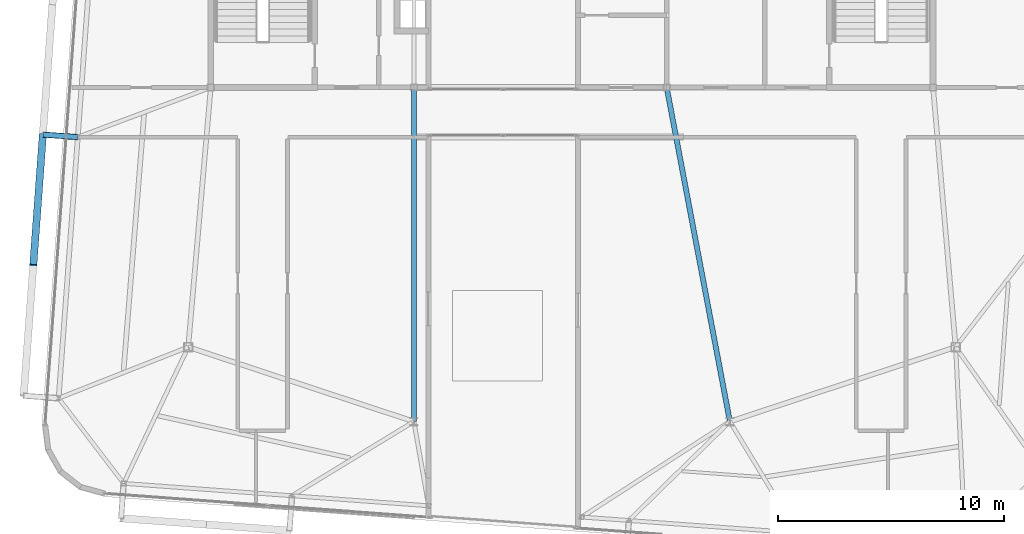
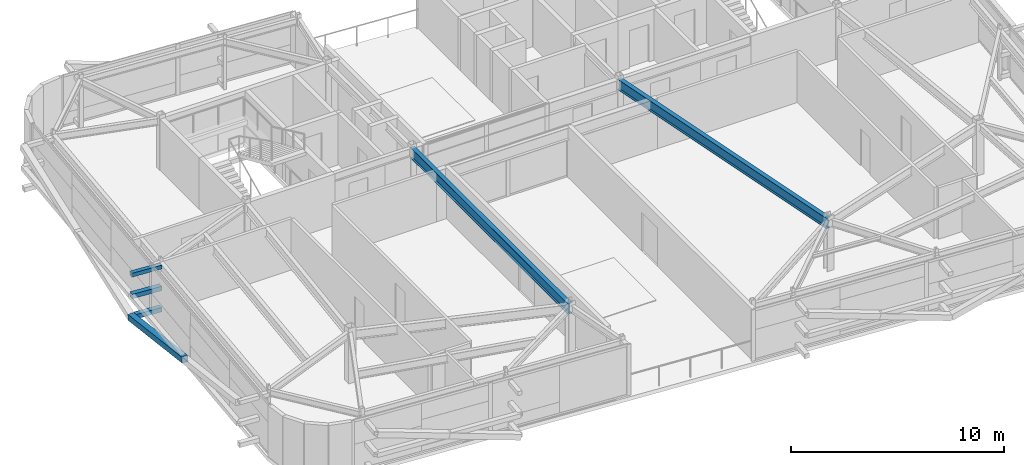
# One storey, part 12 of 36: 4 members, 2 beams.
"""IFC4 building model written with IfcOpenShell, lengths in metres."""

from ifc_helpers import new_model, si_unit, direction, frame, origin, origin_2d, place, context, subcontext, project, spatial, hollow_rectangle, i_section, extrude, source, transform, mapped, material, material_profile, profile_set, type_object, element, save


model = new_model("IFC4")

# Units and contexts
model_context = context("Model", 3, precision=1e-05, world=origin(), true_north=direction((0.0, 1.0)))
body_context = subcontext(model_context, "Body", "Model", "MODEL_VIEW")
ifc_project = project(units=[si_unit("LENGTHUNIT", "METRE"), si_unit("AREAUNIT", "SQUARE_METRE"), si_unit("VOLUMEUNIT", "CUBIC_METRE"), si_unit("PLANEANGLEUNIT", "RADIAN"), si_unit("MASSUNIT", "GRAM", prefix="KILO")], contexts=[model_context])

# Site, building, storey
site_placement = place(None, origin())
site = spatial("IfcSite", under=ifc_project, at=site_placement, CompositionType="ELEMENT")
building_placement = place(site_placement, origin())
building = spatial("IfcBuilding", under=site, at=building_placement, Name="Taldren Reach Tower", CompositionType="ELEMENT")
storey_placement = place(building_placement, frame((0.0, 0.0, 227.14990234375)))
storey = spatial("IfcBuildingStorey", under=building, at=storey_placement, Name="L69", CompositionType="ELEMENT", Elevation=227.14990234375)

# Beams
ifc_material_1 = material(Name="Steel Gr 350 (350PLUS)", Category="steel")
ifc_material_profile_1 = material_profile(ifc_material_1, i_section(OverallWidth=0.22802734375, OverallDepth=0.60205078125, WebThickness=0.010498046875, FlangeThickness=0.014892578125, at=origin_2d()), Name="610UB101")
ifc_profile_set_1 = profile_set([ifc_material_profile_1], Name="Steel Gr 350 (350PLUS)")
beam_type = type_object("IfcBeamType", Name="BM-UB610B", PredefinedType="BEAM", material=ifc_profile_set_1)
shared_shape_1 = source(origin(), body_context, "Body", "SweptSolid", [
    extrude(i_section(OverallWidth=0.22802734375, OverallDepth=0.60205078125, WebThickness=0.010498046875, FlangeThickness=0.014892578125, at=origin_2d()), origin(), (0.0, 0.0, 1.0), 14.800048828125),
])
beam_1_placement = place(storey_placement, frame((28.0, 24.0, 2.629150390625), z_axis=(0.0, -1.0, 0.0), x_axis=(1.0, 0.0, 0.0)))
element("IfcBeam", 1, at=beam_1_placement, inside=storey, type_object=beam_type, Name="Core-spine girder L69-SP14", PredefinedType="BEAM", context=body_context, shape_type="MappedRepresentation", body=[
    mapped(shared_shape_1, transform((0.0, 0.0, 0.0), scale=1.0)),
])
shared_shape_2 = source(origin(), body_context, "Body", "SweptSolid", [
    extrude(i_section(OverallWidth=0.22802734375, OverallDepth=0.60205078125, WebThickness=0.010498046875, FlangeThickness=0.014892578125, at=origin_2d()), origin(), (0.0, 0.0, 1.0), 15.0625),
])
beam_2_placement = place(storey_placement, frame((39.199951171875, 24.0, 2.629150390625), z_axis=(0.185894205668, -0.982569765614, 0.0), x_axis=(0.982569765614, 0.185894205668, 0.0)))
element("IfcBeam", 2, at=beam_2_placement, inside=storey, type_object=beam_type, Name="Core-spine girder L69-SP15", PredefinedType="BEAM", context=body_context, shape_type="MappedRepresentation", body=[
    mapped(shared_shape_2, transform((0.0, 0.0, 0.0), scale=1.0)),
])

# Members
ifc_material_2 = material(Name="Steel Gr 450 (C450L0)", Category="steel")
ifc_material_profile_2 = material_profile(ifc_material_2, hollow_rectangle(XDim=0.219970703125, YDim=0.219970703125, WallThickness=0.00830078125, at=origin_2d()), Name="220x220x8.2SHS")
ifc_profile_set_2 = profile_set([ifc_material_profile_2], Name="Steel Gr 450 (C450L0)")
member_type_1 = type_object("IfcMemberType", Name="MB-TIE219", PredefinedType="STRUT", material=ifc_profile_set_2)
shared_shape_3 = source(origin(), body_context, "Body", "SweptSolid", [
    extrude(hollow_rectangle(XDim=0.219970703125, YDim=0.219970703125, WallThickness=0.00830078125, at=origin_2d()), origin(), (0.0, 0.0, 1.0), 1.546142578125),
])
member_1_placement = place(storey_placement, frame((13.104736328125, 21.800537109375, 2.650146484375), z_axis=(-0.997312378271, 0.073266773831, 0.0), x_axis=(-0.073266773831, -0.997312378271, 0.0)))
element("IfcMember", 3, at=member_1_placement, inside=storey, type_object=member_type_1, Name="Exoskeleton diaphragm tie strut B5-W2 L69", PredefinedType="STRUT", context=body_context, shape_type="MappedRepresentation", body=[
    mapped(shared_shape_3, transform((0.0, 0.0, 0.0), scale=1.0)),
])
ifc_material_profile_3 = material_profile(ifc_material_2, hollow_rectangle(XDim=0.324951171875, YDim=0.324951171875, WallThickness=0.0126953125, at=origin_2d()), Name="325x325x12.7SHS")
ifc_profile_set_3 = profile_set([ifc_material_profile_3], Name="Steel Gr 450 (C450L0)")
member_type_2 = type_object("IfcMemberType", Name="MB-BR324", PredefinedType="BRACE", material=ifc_profile_set_3)
shared_shape_4 = source(origin(), body_context, "Body", "SweptSolid", [
    extrude(hollow_rectangle(XDim=0.324951171875, YDim=0.324951171875, WallThickness=0.0126953125, at=origin_2d()), origin(), (0.0, 0.0, 1.0), 5.92578125),
])
member_2_placement = place(storey_placement, frame((11.562744140625, 21.913818359375, 0.22021484375), z_axis=(-0.071686540919, -0.976131732187, 0.205007027365), x_axis=(0.997314185625, -0.073242167855, 0.0)))
element("IfcMember", 4, at=member_2_placement, inside=storey, type_object=member_type_2, Name="Exoskeleton Diagrid Brace B5-W1 L69", PredefinedType="BRACE", context=body_context, shape_type="MappedRepresentation", body=[
    mapped(shared_shape_4, transform((0.0, 0.0, 0.0), scale=1.0)),
])
ifc_material_3 = material(Name="Steel Gr 350 (C350L0)", Category="steel")
ifc_material_profile_4 = material_profile(ifc_material_3, hollow_rectangle(XDim=0.25, YDim=0.25, WallThickness=0.010009765625, at=origin_2d()), Name="250x250x10.0SHS")
ifc_profile_set_4 = profile_set([ifc_material_profile_4], Name="Steel Gr 350 (C350L0)")
member_type_3 = type_object("IfcMemberType", Name="MB-POST250", PredefinedType="POST", material=ifc_profile_set_4)
shared_shape_5 = source(origin(), body_context, "Body", "SweptSolid", [
    extrude(hollow_rectangle(XDim=0.25, YDim=0.25, WallThickness=0.010009765625, at=origin_2d()), origin(), (0.0, 0.0, 1.0), 1.546142578125),
])
for number, where, z_axis, x_axis, name in (
    (5, (13.104736328125, 21.800537109375, 0.22021484375), (-0.997312378271, 0.073266773831, 0.0), (-0.073266773831, -0.997312378271, 0.0), "Exoskeleton base diaphragm tie strut B5-W2 L69"),
    (6, (13.104736328125, 21.800537109375, 1.43505859375), (-0.997312378271, 0.073266773831, 0.0), (-0.073266773831, -0.997312378271, 0.0), "Exoskeleton mid-tier diaphragm tie B5-W2 L69"),
):
    element("IfcMember", number, at=place(storey_placement, frame(where, z_axis=z_axis, x_axis=x_axis)), inside=storey, type_object=member_type_3, Name=name, PredefinedType="POST", context=body_context, shape_type="MappedRepresentation", body=[
        mapped(shared_shape_5, transform((0.0, 0.0, 0.0), scale=1.0)),
    ])

save(model, "model.ifc")
